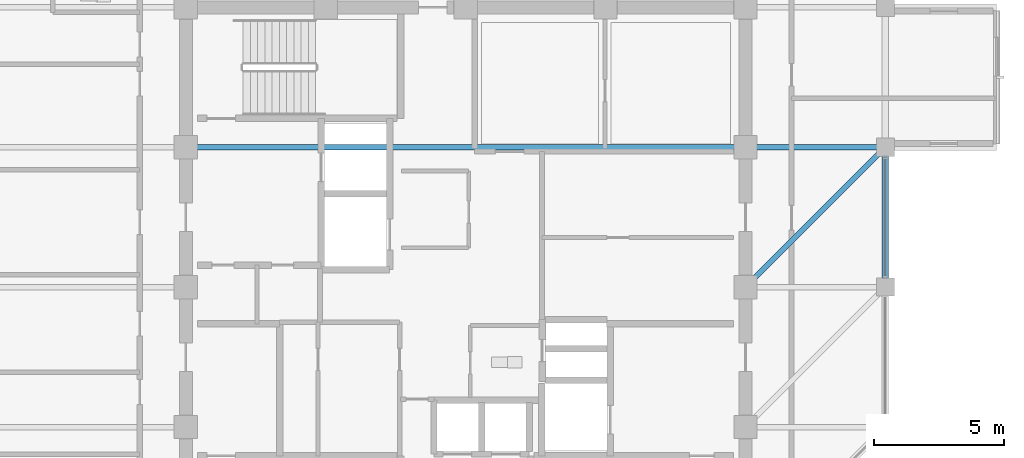
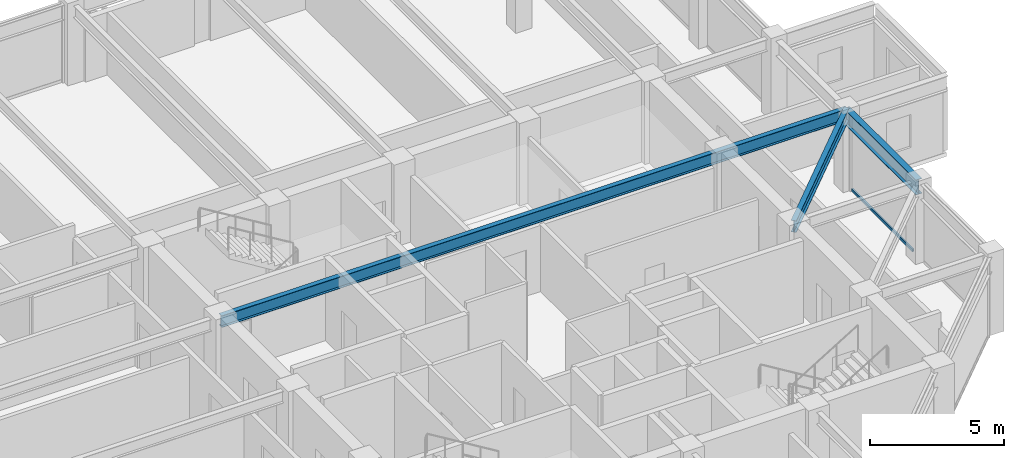
# One storey, part 11 of 31: 3 beams, 1 member, 1 element without a shape of its own.
"""IFC4 building model written with IfcOpenShell, lengths in metres."""

from ifc_helpers import new_model, si_unit, direction, frame, origin, origin_2d, place, context, subcontext, project, spatial, hollow_rectangle, i_section, extrude, material, layer, layer_set, material_profile, profile_set, type_object, element, aggregate, save


model = new_model("IFC4")

# Units and contexts
model_context = context("Model", 3, precision=1e-05, world=origin(), true_north=direction((0.0, 1.0)))
body_context = subcontext(model_context, "Body", "Model", "MODEL_VIEW")
ifc_project = project(units=[si_unit("LENGTHUNIT", "METRE"), si_unit("AREAUNIT", "SQUARE_METRE"), si_unit("VOLUMEUNIT", "CUBIC_METRE"), si_unit("PLANEANGLEUNIT", "RADIAN"), si_unit("MASSUNIT", "GRAM", prefix="KILO")], contexts=[model_context])

# Site, building, storey
site_placement = place(None, origin())
site = spatial("IfcSite", under=ifc_project, at=site_placement, CompositionType="ELEMENT")
building_placement = place(site_placement, origin())
building = spatial("IfcBuilding", under=site, at=building_placement, Name="Surkhivell Harbour Commons", CompositionType="ELEMENT")
storey_placement = place(building_placement, frame((0.0, 0.0, 262.5)))
storey = spatial("IfcBuildingStorey", under=building, at=storey_placement, Name="L68", CompositionType="ELEMENT", Elevation=262.5)

# Beams
ifc_material_1 = material(Name="Steel S355", Category="steel")
ifc_material_profile_1 = material_profile(ifc_material_1, i_section(OverallWidth=0.2099609375, OverallDepth=0.537109375, WebThickness=0.0107421875, FlangeThickness=0.017333984375, at=origin_2d()), Name="UB533x210x101")
ifc_profile_set_1 = profile_set([ifc_material_profile_1], Name="Steel S355")
beam_type_1 = type_object("IfcBeamType", Name="BM-GRD-533B", PredefinedType="BEAM", material=ifc_profile_set_1)
beam_1_placement = place(storey_placement, frame((-10.800048828125, 5.39990234375, 3.301513671875), z_axis=(1.0, 0.0, 0.0), x_axis=(0.0, 1.0, 0.0)))
element("IfcBeam", 1, at=beam_1_placement, inside=storey, type_object=beam_type_1, Name="L68 Cantilever Back-Span Girder (-10.8,5.4)", PredefinedType="BEAM", context=body_context, shape_type="SweptSolid", body=[
    extrude(i_section(OverallWidth=0.2099609375, OverallDepth=0.537109375, WebThickness=0.0107421875, FlangeThickness=0.017333984375, at=origin_2d()), origin(), (0.0, 0.0, 1.0), 27.0),
])
beam_2_placement = place(storey_placement, frame((10.800048828125, 0.0, 3.301513671875), z_axis=(0.707106781187, 0.707106781187, 0.0), x_axis=(-0.707106781187, 0.707106781187, 0.0)))
element("IfcBeam", 2, at=beam_2_placement, inside=storey, type_object=beam_type_1, Name="L68 Floor Girder (10.8,0.0)", PredefinedType="BEAM", context=body_context, shape_type="SweptSolid", body=[
    extrude(i_section(OverallWidth=0.2099609375, OverallDepth=0.537109375, WebThickness=0.0107421875, FlangeThickness=0.017333984375, at=origin_2d()), origin(), (0.0, 0.0, 1.0), 7.63671875),
])
ifc_material_profile_2 = material_profile(ifc_material_1, i_section(OverallWidth=0.256103515625, OverallDepth=0.693115234375, WebThickness=0.014404296875, FlangeThickness=0.023681640625, at=origin_2d()), Name="UB686x254x170")
ifc_profile_set_2 = profile_set([ifc_material_profile_2], Name="Steel S355")
beam_type_2 = type_object("IfcBeamType", Name="BM-SPN-686", PredefinedType="SPANDREL", material=ifc_profile_set_2)
beam_3_placement = place(storey_placement, frame((16.199951171875, 0.0, 3.223388671875), z_axis=(0.0, 1.0, 0.0), x_axis=(-1.0, 0.0, 0.0)))
element("IfcBeam", 3, at=beam_3_placement, inside=storey, type_object=beam_type_2, Name="L68 Tube Spandrel (16.2,0.0)", PredefinedType="SPANDREL", context=body_context, shape_type="SweptSolid", body=[
    extrude(i_section(OverallWidth=0.256103515625, OverallDepth=0.693115234375, WebThickness=0.014404296875, FlangeThickness=0.023681640625, at=origin_2d()), origin(), (0.0, 0.0, 1.0), 5.39990234375),
])

# Curtain wall, member
ifc_material_2 = material(Name="Anodised pale-metal aluminium and insulated glazing", Category="aluminium")
ifc_layer = layer(ifc_material_2, 0.175048828125)
ifc_layer_set = layer_set([ifc_layer], Name="Anodised pale-metal aluminium and insulated glazing")
curtain_wall_type = type_object("IfcCurtainWallType", Name="CW-SYS-Z4", PredefinedType="NOTDEFINED", material=ifc_layer_set)
curtain_wall_placement = place(storey_placement, origin())
curtain_wall = element("IfcCurtainWall", 4, at=curtain_wall_placement, inside=storey, type_object=curtain_wall_type, Name="L68 Curtain Wall CW-L68-E02R1", PredefinedType="NOTDEFINED")
ifc_material_3 = material(Name="Champagne anodised aluminium alloy 6063-T6", Category="aluminium")
ifc_material_profile_3 = material_profile(ifc_material_3, hollow_rectangle(XDim=0.070068359375, YDim=0.1298828125, WallThickness=0.00341796875, at=origin_2d()), Name="ALU-TRAN-70x130")
ifc_profile_set_3 = profile_set([ifc_material_profile_3], Name="Champagne anodised aluminium alloy 6063-T6")
member_type = type_object("IfcMemberType", Name="CWT-130", PredefinedType="USERDEFINED", material=ifc_profile_set_3)
member_placement = place(storey_placement, frame((16.199951171875, 0.427001953125, 0.06494140625), z_axis=(0.0, 1.0, 0.0), x_axis=(-1.0, 0.0, 0.0)))
member = element("IfcMember", 5, at=member_placement, type_object=member_type, Name="CW-Z4 transom 2.1", ObjectType="TRANSOM", PredefinedType="USERDEFINED", context=body_context, shape_type="SweptSolid", body=[
    extrude(hollow_rectangle(XDim=0.070068359375, YDim=0.1298828125, WallThickness=0.00341796875, at=origin_2d()), origin(), (0.0, 0.0, 1.0), 4.5458984375),
])
aggregate(curtain_wall, [member])

save(model, "model.ifc")
